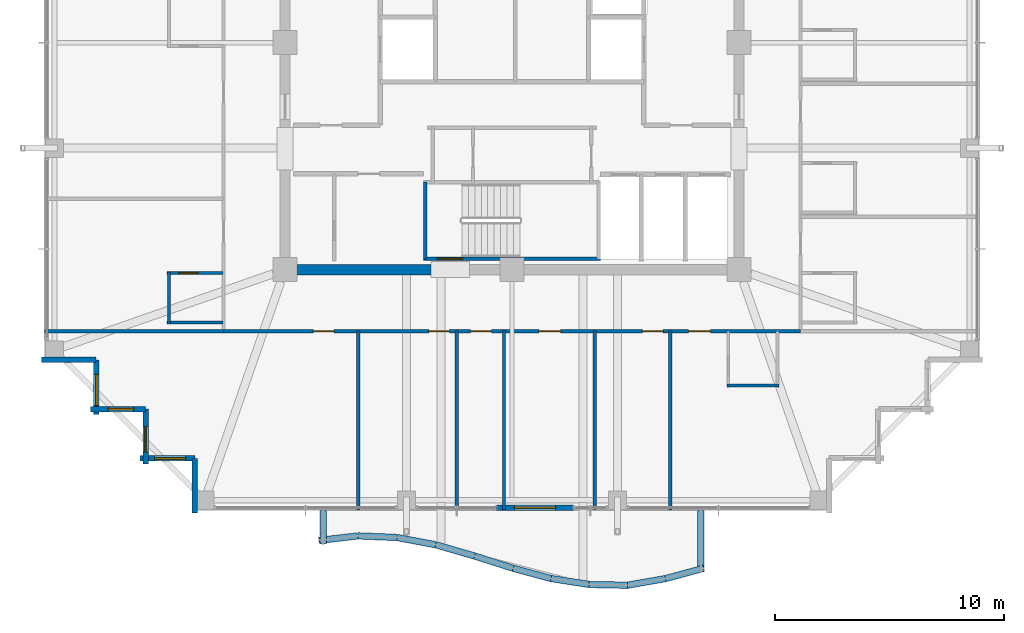
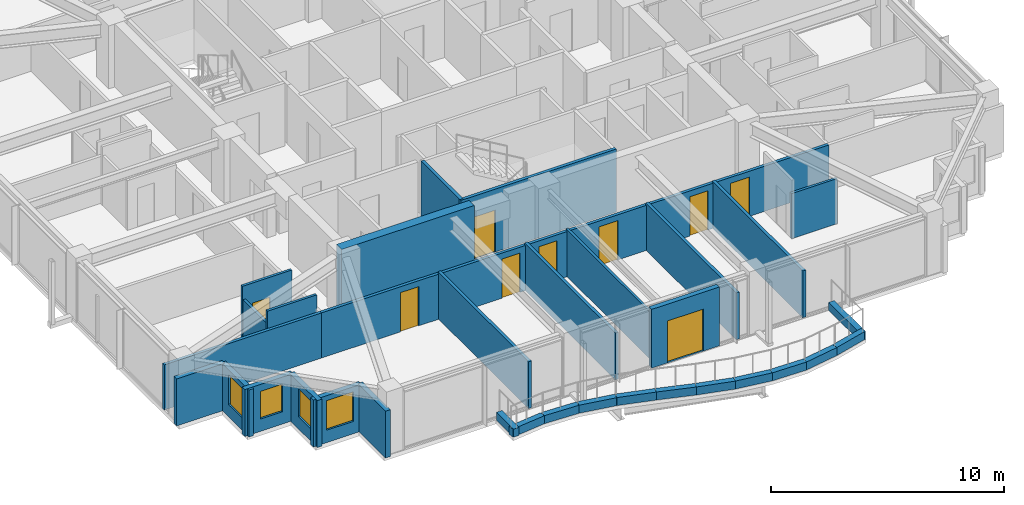
# One storey, part 31 of 38: 33 walls, 9 doors, 4 windows, 13 openings.
"""IFC4 building model written with IfcOpenShell, lengths in metres."""

from ifc_helpers import new_model, si_unit, direction, frame, frame_2d, origin, place, context, subcontext, project, spatial, rectangle, extrude, material, layer, layer_set, type_object, element, fill, save


model = new_model("IFC4")

# Units and contexts
model_context = context("Model", 3, precision=1e-05, world=origin(), true_north=direction((0.0, 1.0)))
body_context = subcontext(model_context, "Body", "Model", "MODEL_VIEW")
ifc_project = project(units=[si_unit("LENGTHUNIT", "METRE"), si_unit("AREAUNIT", "SQUARE_METRE"), si_unit("VOLUMEUNIT", "CUBIC_METRE"), si_unit("PLANEANGLEUNIT", "RADIAN"), si_unit("MASSUNIT", "GRAM", prefix="KILO")], contexts=[model_context])

# Site, building, storey
site_placement = place(None, origin())
site = spatial("IfcSite", under=ifc_project, at=site_placement, CompositionType="ELEMENT")
building_placement = place(site_placement, origin())
building = spatial("IfcBuilding", under=site, at=building_placement, Name="Kolvaren Belvedere", CompositionType="ELEMENT")
storey_placement = place(building_placement, frame((0.0, 0.0, 213.0)))
storey = spatial("IfcBuildingStorey", under=building, at=storey_placement, Name="L62", CompositionType="ELEMENT", Elevation=213.0)

# Wall
ifc_material_1 = material(Name="Concrete C50/60", Category="concrete")
ifc_layer_1 = layer(ifc_material_1, 0.449951171875)
ifc_layer_set_1 = layer_set([ifc_layer_1], Name="Concrete C50/60")
wall_type_1 = type_object("IfcWallType", Name="CW-CORE-450", PredefinedType="SHEAR", material=ifc_layer_set_1)
wall_1_placement = place(storey_placement, frame((-3.5400390625, -9.89990234375, 0.0), z_axis=(0.0, 0.0, 1.0), x_axis=(-1.0, 0.0, 0.0)))
element("IfcWall", 1, at=wall_1_placement, inside=storey, type_object=wall_type_1, Name="L62 South Core Shear Wall 2", PredefinedType="SHEAR", context=body_context, shape_type="SweptSolid", body=[
    extrude(rectangle(XDim=6.5849609375, YDim=0.449951171875, at=frame_2d((3.29248046875, 0.0))), origin(), (0.0, 0.0, 1.0), 3.300048828125),
])

# Wall, opening, door
ifc_material_2 = material(Name="Concrete C50/60", Category="concrete")
ifc_layer_2 = layer(ifc_material_2, 0.159912109375)
ifc_layer_set_2 = layer_set([ifc_layer_2], Name="Concrete C50/60")
wall_type_2 = type_object("IfcWallType", Name="CW-STAIR-160", PredefinedType="SHEAR", material=ifc_layer_set_2)
wall_2_placement = place(storey_placement, frame((3.860107421875, -9.429931640625, 0.0), z_axis=(0.0, 0.0, 1.0), x_axis=(-1.0, 0.0, 0.0)))
wall_2 = element("IfcWall", 2, at=wall_2_placement, inside=storey, type_object=wall_type_2, Name="L62 Stair ST-3 South Shear Wall", PredefinedType="SHEAR", context=body_context, shape_type="SweptSolid", body=[
    extrude(rectangle(XDim=7.72021484375, YDim=0.159912109375, at=frame_2d((3.860107421875, 0.0))), origin(), (0.0, 0.0, 1.0), 3.300048828125),
])
opening_1_placement = place(wall_2_placement, frame((6.010009765625, 0.0, 0.0)))
opening_1 = element("IfcOpeningElement", 3, at=opening_1_placement, cuts=wall_2, Name="Opening D-FD90", PredefinedType="OPENING", context=body_context, shape_type="SweptSolid", body=[
    extrude(rectangle(XDim=1.10009765625, YDim=2.199951171875, at=frame_2d((0.550048828125, 1.10009765625))), frame((0.0, 0.08984375, 0.0), z_axis=(0.0, -1.0, 0.0), x_axis=(1.0, 0.0, 0.0)), (0.0, 0.0, 1.0), 0.179931640625),
])
ifc_material_3 = material(Name="Painted hollow stainless steel", Category="steel")
door_type_1 = type_object("IfcDoorType", Name="DR-FD90-1100", OperationType="NOTDEFINED", PredefinedType="DOOR", material=ifc_material_3)
door_1_placement = place(opening_1_placement, origin())
door_1 = element("IfcDoor", 4, at=door_1_placement, inside=storey, type_object=door_type_1, Name="L62 Stair ST-3 Exit Door", OperationType="SINGLE_SWING_RIGHT", OverallHeight=2.199951171875, OverallWidth=1.10009765625, PredefinedType="DOOR", context=body_context, shape_type="SweptSolid", body=[
    extrude(rectangle(XDim=1.10009765625, YDim=2.199951171875, at=frame_2d((0.550048828125, 1.10009765625))), frame((0.0, 0.02490234375, 0.0), z_axis=(0.0, -1.0, 0.0), x_axis=(1.0, 0.0, 0.0)), (0.0, 0.0, 1.0), 0.050048828125),
])
fill(opening_1, door_1)

# Wall
wall_3_placement = place(storey_placement, frame((-3.780029296875, -9.429931640625, 0.0), z_axis=(0.0, 0.0, 1.0), x_axis=(0.0, 1.0, 0.0)))
element("IfcWall", 5, at=wall_3_placement, inside=storey, type_object=wall_type_2, Name="L62 Stair ST-3 West Shear Wall", PredefinedType="SHEAR", context=body_context, shape_type="SweptSolid", body=[
    extrude(rectangle(XDim=3.349853515625, YDim=0.159912109375, at=frame_2d((1.6748046875, 0.0))), origin(), (0.0, 0.0, 1.0), 3.300048828125),
])

# Wall, openings, doors
ifc_material_4 = material(Name="Gypsum fire-rated partition assembly", Category="gypsum")
ifc_layer_3 = layer(ifc_material_4, 0.14990234375)
ifc_layer_set_3 = layer_set([ifc_layer_3], Name="Gypsum fire-rated partition assembly")
wall_type_3 = type_object("IfcWallType", Name="WL-CORR-150", PredefinedType="PARTITIONING", material=ifc_layer_set_3)
wall_4_placement = place(storey_placement, frame((-12.580078125, -12.580078125, 0.0), z_axis=(0.0, 0.0, 1.0), x_axis=(1.0, 0.0, 0.0)))
wall_4 = element("IfcWall", 6, at=wall_4_placement, inside=storey, type_object=wall_type_3, Name="L62 South Corridor Wall", PredefinedType="PARTITIONING", context=body_context, shape_type="SweptSolid", body=[
    extrude(rectangle(XDim=25.16015625, YDim=0.14990234375, at=frame_2d((12.580078125, 0.0))), origin(), (0.0, 0.0, 1.0), 2.368896484375),
])
opening_2_placement = place(wall_4_placement, frame((3.9189453125, 0.0, 0.0)))
opening_2 = element("IfcOpeningElement", 7, at=opening_2_placement, cuts=wall_4, Name="Opening D-INT90", PredefinedType="OPENING", context=body_context, shape_type="SweptSolid", body=[
    extrude(rectangle(XDim=0.89990234375, YDim=2.06005859375, at=frame_2d((0.449951171875, 1.030029296875))), frame((0.0, 0.0849609375, 0.0), z_axis=(0.0, -1.0, 0.0), x_axis=(1.0, 0.0, 0.0)), (0.0, 0.0, 1.0), 0.169921875),
])
opening_3_placement = place(wall_4_placement, frame((8.95068359375, 0.0, 0.0)))
opening_3 = element("IfcOpeningElement", 8, at=opening_3_placement, cuts=wall_4, Name="Opening D-INT90", PredefinedType="OPENING", context=body_context, shape_type="SweptSolid", body=[
    extrude(rectangle(XDim=0.89990234375, YDim=2.06005859375, at=frame_2d((0.449951171875, 1.030029296875))), frame((0.0, 0.0849609375, 0.0), z_axis=(0.0, -1.0, 0.0), x_axis=(1.0, 0.0, 0.0)), (0.0, 0.0, 1.0), 0.169921875),
])
opening_4_placement = place(wall_4_placement, frame((10.780029296875, 0.0, 0.0)))
opening_4 = element("IfcOpeningElement", 9, at=opening_4_placement, cuts=wall_4, Name="Opening D-INT90", PredefinedType="OPENING", context=body_context, shape_type="SweptSolid", body=[
    extrude(rectangle(XDim=0.89990234375, YDim=2.06005859375, at=frame_2d((0.449951171875, 1.030029296875))), frame((0.0, 0.0849609375, 0.0), z_axis=(0.0, -1.0, 0.0), x_axis=(1.0, 0.0, 0.0)), (0.0, 0.0, 1.0), 0.169921875),
])
opening_5_placement = place(wall_4_placement, frame((13.74853515625, 0.0, 0.0)))
opening_5 = element("IfcOpeningElement", 10, at=opening_5_placement, cuts=wall_4, Name="Opening D-INT95", PredefinedType="OPENING", context=body_context, shape_type="SweptSolid", body=[
    extrude(rectangle(XDim=0.949951171875, YDim=2.06005859375, at=frame_2d((0.47509765625, 1.030029296875))), frame((0.0, 0.0849609375, 0.0), z_axis=(0.0, -1.0, 0.0), x_axis=(1.0, 0.0, 0.0)), (0.0, 0.0, 1.0), 0.169921875),
])
opening_6_placement = place(wall_4_placement, frame((18.26806640625, 0.0, 0.0)))
opening_6 = element("IfcOpeningElement", 11, at=opening_6_placement, cuts=wall_4, Name="Opening D-INT90", PredefinedType="OPENING", context=body_context, shape_type="SweptSolid", body=[
    extrude(rectangle(XDim=0.89990234375, YDim=2.06005859375, at=frame_2d((0.449951171875, 1.030029296875))), frame((0.0, 0.0849609375, 0.0), z_axis=(0.0, -1.0, 0.0), x_axis=(1.0, 0.0, 0.0)), (0.0, 0.0, 1.0), 0.169921875),
])
opening_7_placement = place(wall_4_placement, frame((20.28271484375, 0.0, 0.0)))
opening_7 = element("IfcOpeningElement", 12, at=opening_7_placement, cuts=wall_4, Name="Opening D-FD60", PredefinedType="OPENING", context=body_context, shape_type="SweptSolid", body=[
    extrude(rectangle(XDim=0.949951171875, YDim=2.06005859375, at=frame_2d((0.47509765625, 1.030029296875))), frame((0.0, 0.0849609375, 0.0), z_axis=(0.0, -1.0, 0.0), x_axis=(1.0, 0.0, 0.0)), (0.0, 0.0, 1.0), 0.169921875),
])
ifc_material_5 = material(Name="Acoustic white-oak fire door leaf", Category="timber")
door_type_2 = type_object("IfcDoorType", Name="DR-FD60-950", OperationType="NOTDEFINED", PredefinedType="DOOR", material=ifc_material_5)
door_2_placement = place(opening_7_placement, origin())
door_2 = element("IfcDoor", 13, at=door_2_placement, inside=storey, type_object=door_type_2, Name="L62 Deluxe King Guest Room 6204 Entry Door", OperationType="SINGLE_SWING_LEFT", OverallHeight=2.06005859375, OverallWidth=0.949951171875, PredefinedType="DOOR", context=body_context, shape_type="SweptSolid", body=[
    extrude(rectangle(XDim=0.949951171875, YDim=2.06005859375, at=frame_2d((0.47509765625, 1.030029296875))), frame((0.0, 0.02490234375, 0.0), z_axis=(0.0, -1.0, 0.0), x_axis=(1.0, 0.0, 0.0)), (0.0, 0.0, 1.0), 0.050048828125),
])
fill(opening_7, door_2)
ifc_material_6 = material(Name="Stained Pacific white oak", Category="timber")
door_type_3 = type_object("IfcDoorType", Name="DR-INT-900", OperationType="NOTDEFINED", PredefinedType="DOOR", material=ifc_material_6)
door_3_placement = place(opening_2_placement, origin())
door_3 = element("IfcDoor", 14, at=door_3_placement, inside=storey, type_object=door_type_3, Name="L62 Guest Tea & Espresso Kitchen 6201 Door", OperationType="SINGLE_SWING_LEFT", OverallHeight=2.06005859375, OverallWidth=0.89990234375, PredefinedType="DOOR", context=body_context, shape_type="SweptSolid", body=[
    extrude(rectangle(XDim=0.89990234375, YDim=2.06005859375, at=frame_2d((0.449951171875, 1.030029296875))), frame((0.0, 0.02490234375, 0.0), z_axis=(0.0, -1.0, 0.0), x_axis=(1.0, 0.0, 0.0)), (0.0, 0.0, 1.0), 0.050048828125),
])
fill(opening_2, door_3)
door_4_placement = place(opening_3_placement, origin())
door_4 = element("IfcDoor", 15, at=door_4_placement, inside=storey, type_object=door_type_3, Name="L62 Private Hospitality Meeting Room 6202 Door", OperationType="SINGLE_SWING_RIGHT", OverallHeight=2.06005859375, OverallWidth=0.89990234375, PredefinedType="DOOR", context=body_context, shape_type="SweptSolid", body=[
    extrude(rectangle(XDim=0.89990234375, YDim=2.06005859375, at=frame_2d((0.449951171875, 1.030029296875))), frame((0.0, 0.02490234375, 0.0), z_axis=(0.0, -1.0, 0.0), x_axis=(1.0, 0.0, 0.0)), (0.0, 0.0, 1.0), 0.050048828125),
])
fill(opening_3, door_4)
door_5_placement = place(opening_4_placement, origin())
door_5 = element("IfcDoor", 16, at=door_5_placement, inside=storey, type_object=door_type_3, Name="L62 Housekeeping Door", OperationType="SINGLE_SWING_LEFT", OverallHeight=2.06005859375, OverallWidth=0.89990234375, PredefinedType="DOOR", context=body_context, shape_type="SweptSolid", body=[
    extrude(rectangle(XDim=0.89990234375, YDim=2.06005859375, at=frame_2d((0.449951171875, 1.030029296875))), frame((0.0, 0.02490234375, 0.0), z_axis=(0.0, -1.0, 0.0), x_axis=(1.0, 0.0, 0.0)), (0.0, 0.0, 1.0), 0.050048828125),
])
fill(opening_4, door_5)
door_6_placement = place(opening_6_placement, origin())
door_6 = element("IfcDoor", 17, at=door_6_placement, inside=storey, type_object=door_type_3, Name="L62 Botanical Reading Salon 6203 Door", OperationType="SINGLE_SWING_LEFT", OverallHeight=2.06005859375, OverallWidth=0.89990234375, PredefinedType="DOOR", context=body_context, shape_type="SweptSolid", body=[
    extrude(rectangle(XDim=0.89990234375, YDim=2.06005859375, at=frame_2d((0.449951171875, 1.030029296875))), frame((0.0, 0.02490234375, 0.0), z_axis=(0.0, -1.0, 0.0), x_axis=(1.0, 0.0, 0.0)), (0.0, 0.0, 1.0), 0.050048828125),
])
fill(opening_6, door_6)
ifc_material_7 = material(Name="Stained Pacific white oak", Category="timber")
door_type_4 = type_object("IfcDoorType", Name="DR-INT-950", OperationType="NOTDEFINED", PredefinedType="DOOR", material=ifc_material_7)
door_7_placement = place(opening_5_placement, origin())
door_7 = element("IfcDoor", 18, at=door_7_placement, inside=storey, type_object=door_type_4, Name="L62 Accessible Washroom Door", OperationType="SINGLE_SWING_RIGHT", OverallHeight=2.06005859375, OverallWidth=0.949951171875, PredefinedType="DOOR", context=body_context, shape_type="SweptSolid", body=[
    extrude(rectangle(XDim=0.949951171875, YDim=2.06005859375, at=frame_2d((0.47509765625, 1.030029296875))), frame((0.0, 0.02490234375, 0.0), z_axis=(0.0, -1.0, 0.0), x_axis=(1.0, 0.0, 0.0)), (0.0, 0.0, 1.0), 0.050048828125),
])
fill(opening_5, door_7)

# Wall, opening, door
ifc_material_8 = material(Name="Insulated pale-metal facade wall assembly", Category="aluminium")
ifc_layer_4 = layer(ifc_material_8, 0.239990234375)
ifc_layer_set_4 = layer_set([ifc_layer_4], Name="Insulated pale-metal facade wall assembly")
wall_type_4 = type_object("IfcWallType", Name="WL-EXT-240", PredefinedType="STANDARD", material=ifc_layer_set_4)
wall_5_placement = place(storey_placement, frame((2.679931640625, -20.280029296875, 0.0), z_axis=(0.0, 0.0, 1.0), x_axis=(-1.0, 0.0, 0.0)))
wall_5 = element("IfcWall", 19, at=wall_5_placement, inside=storey, type_object=wall_type_4, Name="L62 South Terrace Portal Wall", PredefinedType="STANDARD", context=body_context, shape_type="SweptSolid", body=[
    extrude(rectangle(XDim=3.35986328125, YDim=0.239990234375, at=frame_2d((1.679931640625, 0.0))), origin(), (0.0, 0.0, 1.0), 3.080078125),
])
opening_8_placement = place(wall_5_placement, frame((0.780029296875, 0.0, 0.0)))
opening_8 = element("IfcOpeningElement", 20, at=opening_8_placement, cuts=wall_5, Name="Opening DB-1800", PredefinedType="OPENING", context=body_context, shape_type="SweptSolid", body=[
    extrude(rectangle(XDim=1.800048828125, YDim=2.199951171875, at=frame_2d((0.89990234375, 1.10009765625))), frame((0.0, 0.1298828125, 0.0), z_axis=(0.0, -1.0, 0.0), x_axis=(1.0, 0.0, 0.0)), (0.0, 0.0, 1.0), 0.260009765625),
])
ifc_material_9 = material(Name="Thermally broken pale-metal aluminium & low-iron glass", Category="aluminium")
door_type_5 = type_object("IfcDoorType", Name="DR-BAL-1800", OperationType="DOUBLE_DOOR_SLIDING", PredefinedType="DOOR", material=ifc_material_9)
door_8_placement = place(opening_8_placement, origin())
door_8 = element("IfcDoor", 21, at=door_8_placement, inside=storey, type_object=door_type_5, Name="L62 South Planted Terrace Sliding Door", OperationType="DOUBLE_DOOR_SLIDING", OverallHeight=2.199951171875, OverallWidth=1.800048828125, PredefinedType="DOOR", context=body_context, shape_type="SweptSolid", body=[
    extrude(rectangle(XDim=1.800048828125, YDim=2.199951171875, at=frame_2d((0.89990234375, 1.10009765625))), frame((0.0, 0.02490234375, 0.0), z_axis=(0.0, -1.0, 0.0), x_axis=(1.0, 0.0, 0.0)), (0.0, 0.0, 1.0), 0.050048828125),
])
fill(opening_8, door_8)

# Wall
wall_6_placement = place(storey_placement, frame((-18.1298828125, -13.830078125, 0.0), z_axis=(0.0, 0.0, 1.0), x_axis=(-1.0, 0.0, 0.0)))
element("IfcWall", 22, at=wall_6_placement, inside=storey, type_object=wall_type_4, Name="L62 Serrated Corner Facade Wall 23", PredefinedType="STANDARD", context=body_context, shape_type="SweptSolid", body=[
    extrude(rectangle(XDim=2.39013671875, YDim=0.239990234375, at=frame_2d((1.195068359375, 0.0))), origin(), (0.0, 0.0, 1.0), 2.462890625),
])

# Wall, opening, window
wall_7_placement = place(storey_placement, frame((-18.1298828125, -16.219970703125, 0.0), z_axis=(0.0, 0.0, 1.0), x_axis=(0.0, 1.0, 0.0)))
wall_7 = element("IfcWall", 23, at=wall_7_placement, inside=storey, type_object=wall_type_4, Name="L62 Serrated Corner Facade Wall 24", PredefinedType="STANDARD", context=body_context, shape_type="SweptSolid", body=[
    extrude(rectangle(XDim=2.389892578125, YDim=0.239990234375, at=frame_2d((1.19482421875, 0.0))), origin(), (0.0, 0.0, 1.0), 2.462890625),
])
opening_9_placement = place(wall_7_placement, frame((0.39990234375, 0.0, 0.64990234375)))
opening_9 = element("IfcOpeningElement", 24, at=opening_9_placement, cuts=wall_7, Name="Opening W-1350", PredefinedType="OPENING", context=body_context, shape_type="SweptSolid", body=[
    extrude(rectangle(XDim=1.35009765625, YDim=1.550048828125, at=frame_2d((0.675048828125, 0.77490234375))), frame((0.0, 0.1298828125, 0.0), z_axis=(0.0, -1.0, 0.0), x_axis=(1.0, 0.0, 0.0)), (0.0, 0.0, 1.0), 0.260009765625),
])
ifc_material_10 = material(Name="Low-iron triple insulated glass", Category="glass")
window_type_1 = type_object("IfcWindowType", Name="WN-CORN-1350", PartitioningType="SINGLE_PANEL", PredefinedType="WINDOW", material=ifc_material_10)
window_1_placement = place(opening_9_placement, origin())
window_1 = element("IfcWindow", 25, at=window_1_placement, inside=storey, type_object=window_type_1, Name="L62 Serrated Corner Vision Window 24", OverallHeight=1.550048828125, OverallWidth=1.35009765625, PartitioningType="SINGLE_PANEL", PredefinedType="WINDOW", context=body_context, shape_type="SweptSolid", body=[
    extrude(rectangle(XDim=1.35009765625, YDim=1.550048828125, at=frame_2d((0.675048828125, 0.77490234375))), frame((0.0, 0.030029296875, 0.0), z_axis=(0.0, -1.0, 0.0), x_axis=(1.0, 0.0, 0.0)), (0.0, 0.0, 1.0), 0.06005859375),
])
fill(opening_9, window_1)

wall_8_placement = place(storey_placement, frame((-15.97998046875, -15.97998046875, 0.0), z_axis=(0.0, 0.0, 1.0), x_axis=(-1.0, 0.0, 0.0)))
wall_8 = element("IfcWall", 26, at=wall_8_placement, inside=storey, type_object=wall_type_4, Name="L62 Serrated Corner Facade Wall 25", PredefinedType="STANDARD", context=body_context, shape_type="SweptSolid", body=[
    extrude(rectangle(XDim=2.39013671875, YDim=0.239990234375, at=frame_2d((1.195068359375, 0.0))), origin(), (0.0, 0.0, 1.0), 2.462890625),
])
opening_10_placement = place(wall_8_placement, frame((0.52490234375, 0.0, 0.64990234375)))
opening_10 = element("IfcOpeningElement", 27, at=opening_10_placement, cuts=wall_8, Name="Opening W-1100", PredefinedType="OPENING", context=body_context, shape_type="SweptSolid", body=[
    extrude(rectangle(XDim=1.10009765625, YDim=1.449951171875, at=frame_2d((0.550048828125, 0.72509765625))), frame((0.0, 0.1298828125, 0.0), z_axis=(0.0, -1.0, 0.0), x_axis=(1.0, 0.0, 0.0)), (0.0, 0.0, 1.0), 0.260009765625),
])
ifc_material_11 = material(Name="Low-iron triple insulated glass", Category="glass")
window_type_2 = type_object("IfcWindowType", Name="WN-CORN-1100", PartitioningType="SINGLE_PANEL", PredefinedType="WINDOW", material=ifc_material_11)
window_2_placement = place(opening_10_placement, origin())
window_2 = element("IfcWindow", 28, at=window_2_placement, inside=storey, type_object=window_type_2, Name="L62 Serrated Corner Vision Window 25", OverallHeight=1.449951171875, OverallWidth=1.10009765625, PartitioningType="SINGLE_PANEL", PredefinedType="WINDOW", context=body_context, shape_type="SweptSolid", body=[
    extrude(rectangle(XDim=1.10009765625, YDim=1.449951171875, at=frame_2d((0.550048828125, 0.72509765625))), frame((0.0, 0.030029296875, 0.0), z_axis=(0.0, -1.0, 0.0), x_axis=(1.0, 0.0, 0.0)), (0.0, 0.0, 1.0), 0.06005859375),
])
fill(opening_10, window_2)

wall_9_placement = place(storey_placement, frame((-15.97998046875, -18.3701171875, 0.0), z_axis=(0.0, 0.0, 1.0), x_axis=(0.0, 1.0, 0.0)))
wall_9 = element("IfcWall", 29, at=wall_9_placement, inside=storey, type_object=wall_type_4, Name="L62 Serrated Corner Facade Wall 26", PredefinedType="STANDARD", context=body_context, shape_type="SweptSolid", body=[
    extrude(rectangle(XDim=2.39013671875, YDim=0.239990234375, at=frame_2d((1.195068359375, 0.0))), origin(), (0.0, 0.0, 1.0), 2.462890625),
])
opening_11_placement = place(wall_9_placement, frame((0.52490234375, 0.0, 0.64990234375)))
opening_11 = element("IfcOpeningElement", 30, at=opening_11_placement, cuts=wall_9, Name="Opening W-1100", PredefinedType="OPENING", context=body_context, shape_type="SweptSolid", body=[
    extrude(rectangle(XDim=1.10009765625, YDim=1.449951171875, at=frame_2d((0.550048828125, 0.72509765625))), frame((0.0, 0.1298828125, 0.0), z_axis=(0.0, -1.0, 0.0), x_axis=(1.0, 0.0, 0.0)), (0.0, 0.0, 1.0), 0.260009765625),
])
window_3_placement = place(opening_11_placement, origin())
window_3 = element("IfcWindow", 31, at=window_3_placement, inside=storey, type_object=window_type_2, Name="L62 Serrated Corner Vision Window 26", OverallHeight=1.449951171875, OverallWidth=1.10009765625, PartitioningType="SINGLE_PANEL", PredefinedType="WINDOW", context=body_context, shape_type="SweptSolid", body=[
    extrude(rectangle(XDim=1.10009765625, YDim=1.449951171875, at=frame_2d((0.550048828125, 0.72509765625))), frame((0.0, 0.030029296875, 0.0), z_axis=(0.0, -1.0, 0.0), x_axis=(1.0, 0.0, 0.0)), (0.0, 0.0, 1.0), 0.06005859375),
])
fill(opening_11, window_3)

wall_10_placement = place(storey_placement, frame((-13.830078125, -18.1298828125, 0.0), z_axis=(0.0, 0.0, 1.0), x_axis=(-1.0, 0.0, 0.0)))
wall_10 = element("IfcWall", 32, at=wall_10_placement, inside=storey, type_object=wall_type_4, Name="L62 Serrated Corner Facade Wall 27", PredefinedType="STANDARD", context=body_context, shape_type="SweptSolid", body=[
    extrude(rectangle(XDim=2.389892578125, YDim=0.239990234375, at=frame_2d((1.19482421875, 0.0))), origin(), (0.0, 0.0, 1.0), 2.462890625),
])
opening_12_placement = place(wall_10_placement, frame((0.39990234375, 0.0, 0.64990234375)))
opening_12 = element("IfcOpeningElement", 33, at=opening_12_placement, cuts=wall_10, Name="Opening W-1350", PredefinedType="OPENING", context=body_context, shape_type="SweptSolid", body=[
    extrude(rectangle(XDim=1.35009765625, YDim=1.550048828125, at=frame_2d((0.675048828125, 0.77490234375))), frame((0.0, 0.1298828125, 0.0), z_axis=(0.0, -1.0, 0.0), x_axis=(1.0, 0.0, 0.0)), (0.0, 0.0, 1.0), 0.260009765625),
])
window_4_placement = place(opening_12_placement, origin())
window_4 = element("IfcWindow", 34, at=window_4_placement, inside=storey, type_object=window_type_1, Name="L62 Serrated Corner Vision Window 27", OverallHeight=1.550048828125, OverallWidth=1.35009765625, PartitioningType="SINGLE_PANEL", PredefinedType="WINDOW", context=body_context, shape_type="SweptSolid", body=[
    extrude(rectangle(XDim=1.35009765625, YDim=1.550048828125, at=frame_2d((0.675048828125, 0.77490234375))), frame((0.0, 0.030029296875, 0.0), z_axis=(0.0, -1.0, 0.0), x_axis=(1.0, 0.0, 0.0)), (0.0, 0.0, 1.0), 0.06005859375),
])
fill(opening_12, window_4)

# Walls
wall_11_placement = place(storey_placement, frame((-13.830078125, -20.52001953125, 0.0), z_axis=(0.0, 0.0, 1.0), x_axis=(0.0, 1.0, 0.0)))
element("IfcWall", 35, at=wall_11_placement, inside=storey, type_object=wall_type_4, Name="L62 Serrated Corner Facade Wall 28", PredefinedType="STANDARD", context=body_context, shape_type="SweptSolid", body=[
    extrude(rectangle(XDim=2.39013671875, YDim=0.239990234375, at=frame_2d((1.195068359375, 0.0))), origin(), (0.0, 0.0, 1.0), 2.462890625),
])
ifc_material_12 = material(Name="Gypsum acoustic partition assembly", Category="gypsum")
ifc_layer_5 = layer(ifc_material_12, 0.14990234375)
ifc_layer_set_5 = layer_set([ifc_layer_5], Name="Gypsum acoustic partition assembly")
wall_type_5 = type_object("IfcWallType", Name="WL-PART-150", PredefinedType="PARTITIONING", material=ifc_layer_set_5)
wall_12_placement = place(storey_placement, frame((-20.3798828125, -12.580078125, 0.0), z_axis=(0.0, 0.0, 1.0), x_axis=(1.0, 0.0, 0.0)))
element("IfcWall", 36, at=wall_12_placement, inside=storey, type_object=wall_type_5, Name="L62 Wing Divider PW-L62-QSW", PredefinedType="PARTITIONING", context=body_context, shape_type="SweptSolid", body=[
    extrude(rectangle(XDim=7.7998046875, YDim=0.14990234375, at=frame_2d((3.89990234375, 0.0))), origin(), (0.0, 0.0, 1.0), 2.368896484375),
])
for number, where, z_axis, x_axis, name in (
    (37, (-6.699951171875, -20.3798828125, 0.0), (0.0, 0.0, 1.0), (0.0, 1.0, 0.0), "L62 South Suite Demising Wall 1"),
    (38, (-2.39990234375, -20.3798828125, 0.0), (0.0, 0.0, 1.0), (0.0, 1.0, 0.0), "L62 South Suite Demising Wall 2"),
    (39, (3.60009765625, -20.3798828125, 0.0), (0.0, 0.0, 1.0), (0.0, 1.0, 0.0), "L62 South Suite Demising Wall 3"),
    (40, (6.89990234375, -20.3798828125, 0.0), (0.0, 0.0, 1.0), (0.0, 1.0, 0.0), "L62 South Suite Demising Wall 4"),
):
    element("IfcWall", number, at=place(storey_placement, frame(where, z_axis=z_axis, x_axis=x_axis)), inside=storey, type_object=wall_type_5, Name=name, PredefinedType="PARTITIONING", context=body_context, shape_type="SweptSolid", body=[
        extrude(rectangle(XDim=7.7998046875, YDim=0.14990234375, at=frame_2d((3.89990234375, 0.0))), origin(), (0.0, 0.0, 1.0), 2.452880859375),
    ])
ifc_material_13 = material(Name="Precast concrete C40/50", Category="concrete")
ifc_layer_6 = layer(ifc_material_13, 0.300048828125)
ifc_layer_set_6 = layer_set([ifc_layer_6], Name="Precast concrete C40/50")
wall_type_6 = type_object("IfcWallType", Name="WL-PLANTER-300", PredefinedType="PARAPET", material=ifc_layer_set_6)
wall_13_placement = place(storey_placement, frame((-8.418701171875, -21.70751953125, -0.0400390625), z_axis=(0.0, 0.0, 1.0), x_axis=(0.993125952783, 0.11705059551, 0.0)))
element("IfcWall", 41, at=wall_13_placement, inside=storey, type_object=wall_type_6, Name="L62 Precast Structural Planter Wall BAL-S-1", PredefinedType="PARAPET", context=body_context, shape_type="SweptSolid", body=[
    extrude(rectangle(XDim=1.691650390625, YDim=0.280029296875, at=frame_2d((0.845703125, 0.0))), origin(), (0.0, 0.0, 1.0), 0.419921875),
])
wall_14_placement = place(storey_placement, frame((-6.713623046875, -21.508544921875, -0.0400390625), z_axis=(0.0, 0.0, 1.0), x_axis=(0.999196545286, -0.040078222133, 0.0)))
element("IfcWall", 42, at=wall_14_placement, inside=storey, type_object=wall_type_6, Name="L62 Precast Structural Planter Wall BAL-S-2", PredefinedType="PARAPET", context=body_context, shape_type="SweptSolid", body=[
    extrude(rectangle(XDim=1.681396484375, YDim=0.280029296875, at=frame_2d((0.8408203125, 0.0))), origin(), (0.0, 0.0, 1.0), 0.419921875),
])
wall_15_placement = place(storey_placement, frame((-5.010498046875, -21.57861328125, -0.0400390625), z_axis=(0.0, 0.0, 1.0), x_axis=(0.982804219087, -0.184650661912, 0.0)))
element("IfcWall", 43, at=wall_15_placement, inside=storey, type_object=wall_type_6, Name="L62 Precast Structural Planter Wall BAL-S-3", PredefinedType="PARAPET", context=body_context, shape_type="SweptSolid", body=[
    extrude(rectangle(XDim=1.70947265625, YDim=0.280029296875, at=frame_2d((0.854736328125, 0.0))), origin(), (0.0, 0.0, 1.0), 0.419921875),
])
wall_16_placement = place(storey_placement, frame((-3.3154296875, -21.89794921875, -0.0400390625), z_axis=(0.0, 0.0, 1.0), x_axis=(0.960633903819, -0.277817391164, 0.0)))
element("IfcWall", 44, at=wall_16_placement, inside=storey, type_object=wall_type_6, Name="L62 Precast Structural Planter Wall BAL-S-4", PredefinedType="PARAPET", context=body_context, shape_type="SweptSolid", body=[
    extrude(rectangle(XDim=1.748779296875, YDim=0.280029296875, at=frame_2d((0.87451171875, 0.0))), origin(), (0.0, 0.0, 1.0), 0.419921875),
])
wall_17_placement = place(storey_placement, frame((-1.63134765625, -22.38525390625, -0.0400390625), z_axis=(0.0, 0.0, 1.0), x_axis=(0.952661770826, -0.304032153573, 0.0)))
element("IfcWall", 45, at=wall_17_placement, inside=storey, type_object=wall_type_6, Name="L62 Precast Structural Planter Wall BAL-S-5", PredefinedType="PARAPET", context=body_context, shape_type="SweptSolid", body=[
    extrude(rectangle(XDim=1.763427734375, YDim=0.280029296875, at=frame_2d((0.8818359375, 0.0))), origin(), (0.0, 0.0, 1.0), 0.419921875),
])
wall_18_placement = place(storey_placement, frame((0.041748046875, -22.919189453125, -0.0400390625), z_axis=(0.0, 0.0, 1.0), x_axis=(0.965424492388, -0.260682852326, 0.0)))
element("IfcWall", 46, at=wall_18_placement, inside=storey, type_object=wall_type_6, Name="L62 Precast Structural Planter Wall BAL-S-6", PredefinedType="PARAPET", context=body_context, shape_type="SweptSolid", body=[
    extrude(rectangle(XDim=1.739990234375, YDim=0.280029296875, at=frame_2d((0.8701171875, 0.0))), origin(), (0.0, 0.0, 1.0), 0.419921875),
])
wall_19_placement = place(storey_placement, frame((1.704345703125, -23.369140625, -0.0400390625), z_axis=(0.0, 0.0, 1.0), x_axis=(0.988345118302, -0.152229849666, 0.0)))
element("IfcWall", 47, at=wall_19_placement, inside=storey, type_object=wall_type_6, Name="L62 Precast Structural Planter Wall BAL-S-7", PredefinedType="PARAPET", context=body_context, shape_type="SweptSolid", body=[
    extrude(rectangle(XDim=1.699951171875, YDim=0.280029296875, at=frame_2d((0.85009765625, 0.0))), origin(), (0.0, 0.0, 1.0), 0.419921875),
])
wall_20_placement = place(storey_placement, frame((3.36328125, -23.626220703125, -0.0400390625), z_axis=(0.0, 0.0, 1.0), x_axis=(0.99979895463, -0.020051192521, 0.0)))
element("IfcWall", 48, at=wall_20_placement, inside=storey, type_object=wall_type_6, Name="L62 Precast Structural Planter Wall BAL-S-8", PredefinedType="PARAPET", context=body_context, shape_type="SweptSolid", body=[
    extrude(rectangle(XDim=1.68017578125, YDim=0.280029296875, at=frame_2d((0.840087890625, 0.0))), origin(), (0.0, 0.0, 1.0), 0.419921875),
])
wall_21_placement = place(storey_placement, frame((5.012451171875, -23.662353515625, -0.0400390625), z_axis=(0.0, 0.0, 1.0), x_axis=(0.985156010777, 0.171661394699, 0.0)))
element("IfcWall", 49, at=wall_21_placement, inside=storey, type_object=wall_type_6, Name="L62 Precast Structural Planter Wall BAL-S-9", PredefinedType="PARAPET", context=body_context, shape_type="SweptSolid", body=[
    extrude(rectangle(XDim=1.705322265625, YDim=0.280029296875, at=frame_2d((0.8525390625, 0.0))), origin(), (0.0, 0.0, 1.0), 0.419921875),
])
wall_22_placement = place(storey_placement, frame((6.67822265625, -23.372802734375, -0.0400390625), z_axis=(0.0, 0.0, 1.0), x_axis=(0.965434024814, 0.260647546949, 0.0)))
element("IfcWall", 50, at=wall_22_placement, inside=storey, type_object=wall_type_6, Name="L62 Precast Structural Planter Wall BAL-S-10", PredefinedType="PARAPET", context=body_context, shape_type="SweptSolid", body=[
    extrude(rectangle(XDim=1.740234375, YDim=0.280029296875, at=frame_2d((0.8701171875, 0.0))), origin(), (0.0, 0.0, 1.0), 0.419921875),
])
wall_23_placement = place(storey_placement, frame((8.239990234375, -23.07373046875, -0.0400390625), z_axis=(0.0, 0.0, 1.0), x_axis=(0.0, 1.0, 0.0)))
element("IfcWall", 51, at=wall_23_placement, inside=storey, type_object=wall_type_6, Name="L62 Precast Structural Planter Wall BAL-S-11", PredefinedType="PARAPET", context=body_context, shape_type="SweptSolid", body=[
    extrude(rectangle(XDim=2.673828125, YDim=0.280029296875, at=frame_2d((1.3369140625, 0.0))), origin(), (0.0, 0.0, 1.0), 0.419921875),
])
wall_24_placement = place(storey_placement, frame((-8.239990234375, -20.39990234375, -0.0400390625), z_axis=(0.0, 0.0, 1.0), x_axis=(0.0, -1.0, 0.0)))
element("IfcWall", 52, at=wall_24_placement, inside=storey, type_object=wall_type_6, Name="L62 Precast Structural Planter Wall BAL-S-22", PredefinedType="PARAPET", context=body_context, shape_type="SweptSolid", body=[
    extrude(rectangle(XDim=1.46630859375, YDim=0.280029296875, at=frame_2d((0.733154296875, 0.0))), origin(), (0.0, 0.0, 1.0), 0.419921875),
])
ifc_material_14 = material(Name="Moisture-resistant gypsum partition", Category="gypsum")
ifc_layer_7 = layer(ifc_material_14, 0.125)
ifc_layer_set_7 = layer_set([ifc_layer_7], Name="Moisture-resistant gypsum partition")
wall_type_7 = type_object("IfcWallType", Name="WL-WET-125", PredefinedType="PARTITIONING", material=ifc_layer_set_7)
wall_25_placement = place(storey_placement, frame((-0.341064453125, -20.3798828125, 0.0), z_axis=(0.0, 0.0, 1.0), x_axis=(0.0, 1.0, 0.0)))
element("IfcWall", 53, at=wall_25_placement, inside=storey, type_object=wall_type_7, Name="L62 Housekeeping Washroom Divider", PredefinedType="PARTITIONING", context=body_context, shape_type="SweptSolid", body=[
    extrude(rectangle(XDim=7.824951171875, YDim=0.125, at=frame_2d((3.91259765625, 0.0))), origin(), (0.0, 0.0, 1.0), 2.452880859375),
])
wall_26_placement = place(storey_placement, frame((9.368896484375, -14.955078125, 0.0), z_axis=(0.0, 0.0, 1.0), x_axis=(1.0, 0.0, 0.0)))
element("IfcWall", 54, at=wall_26_placement, inside=storey, type_object=wall_type_7, Name="L62 Bathroom Partition PW-L62-BTH-4-H", PredefinedType="PARTITIONING", context=body_context, shape_type="SweptSolid", body=[
    extrude(rectangle(XDim=2.27001953125, YDim=0.125, at=frame_2d((1.135009765625, 0.0))), origin(), (0.0, 0.0, 1.0), 2.368896484375),
])

# Wall, opening, door
wall_27_placement = place(storey_placement, frame((-15.034912109375, -10.051025390625, 0.0), z_axis=(0.0, 0.0, 1.0), x_axis=(1.0, 0.0, 0.0)))
wall_27 = element("IfcWall", 55, at=wall_27_placement, inside=storey, type_object=wall_type_7, Name="L62 Bathroom Partition PW-L62-BTH-9-N", PredefinedType="PARTITIONING", context=body_context, shape_type="SweptSolid", body=[
    extrude(rectangle(XDim=2.43994140625, YDim=0.125, at=frame_2d((1.219970703125, 0.0))), origin(), (0.0, 0.0, 1.0), 3.080078125),
])
opening_13_placement = place(wall_27_placement, frame((0.5, 0.0, 0.0)))
opening_13 = element("IfcOpeningElement", 56, at=opening_13_placement, cuts=wall_27, Name="Opening D-BTH85", PredefinedType="OPENING", context=body_context, shape_type="SweptSolid", body=[
    extrude(rectangle(XDim=0.85009765625, YDim=2.030029296875, at=frame_2d((0.425048828125, 1.01513671875))), frame((0.0, 0.072509765625, 0.0), z_axis=(0.0, -1.0, 0.0), x_axis=(1.0, 0.0, 0.0)), (0.0, 0.0, 1.0), 0.14501953125),
])
ifc_material_15 = material(Name="Moisture-sealed Pacific white oak", Category="timber")
door_type_6 = type_object("IfcDoorType", Name="DR-BATH-850", OperationType="NOTDEFINED", PredefinedType="DOOR", material=ifc_material_15)
door_9_placement = place(opening_13_placement, origin())
door_9 = element("IfcDoor", 57, at=door_9_placement, inside=storey, type_object=door_type_6, Name="L62 En-Suite Bathroom 6209 Door", OperationType="SINGLE_SWING_RIGHT", OverallHeight=2.030029296875, OverallWidth=0.85009765625, PredefinedType="DOOR", context=body_context, shape_type="SweptSolid", body=[
    extrude(rectangle(XDim=0.85009765625, YDim=2.030029296875, at=frame_2d((0.425048828125, 1.01513671875))), frame((0.0, 0.02490234375, 0.0), z_axis=(0.0, -1.0, 0.0), x_axis=(1.0, 0.0, 0.0)), (0.0, 0.0, 1.0), 0.050048828125),
])
fill(opening_13, door_9)

# Walls
wall_28_placement = place(storey_placement, frame((-14.955078125, -12.260986328125, 0.0), z_axis=(0.0, 0.0, 1.0), x_axis=(0.0, 1.0, 0.0)))
element("IfcWall", 58, at=wall_28_placement, inside=storey, type_object=wall_type_7, Name="L62 Bathroom Partition PW-L62-BTH-9-V", PredefinedType="PARTITIONING", context=body_context, shape_type="SweptSolid", body=[
    extrude(rectangle(XDim=2.27001953125, YDim=0.125, at=frame_2d((1.135009765625, 0.0))), origin(), (0.0, 0.0, 1.0), 2.368896484375),
])
wall_29_placement = place(storey_placement, frame((-15.034912109375, -12.200927734375, 0.0), z_axis=(0.0, 0.0, 1.0), x_axis=(1.0, 0.0, 0.0)))
element("IfcWall", 59, at=wall_29_placement, inside=storey, type_object=wall_type_7, Name="L62 Bathroom Partition PW-L62-BTH-9-S", PredefinedType="PARTITIONING", context=body_context, shape_type="SweptSolid", body=[
    extrude(rectangle(XDim=2.43994140625, YDim=0.125, at=frame_2d((1.219970703125, 0.0))), origin(), (0.0, 0.0, 1.0), 3.080078125),
])

save(model, "model.ifc")
